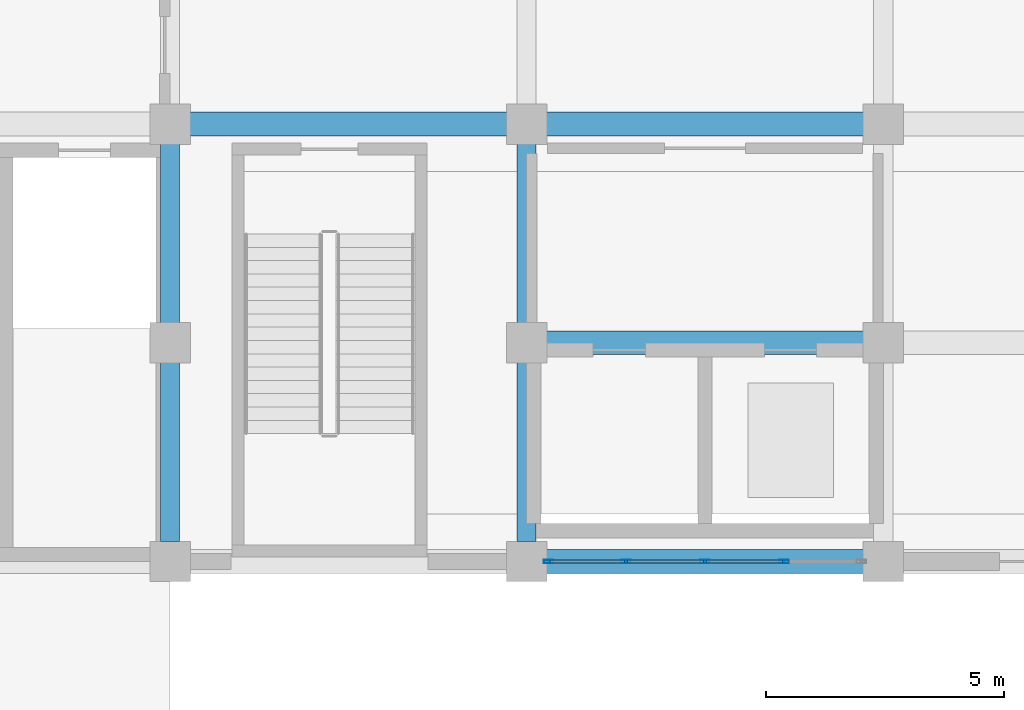
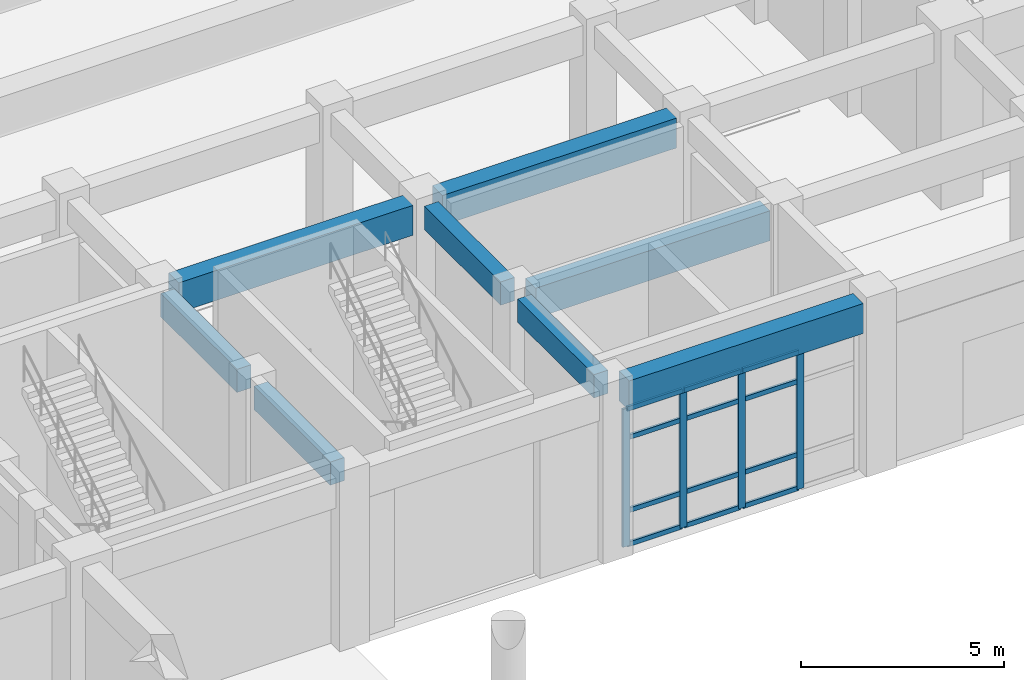
# One storey, part 13 of 84: 16 members, 8 beams, 1 element without a shape of its own.
"""IFC4 building model written with IfcOpenShell, lengths in metres."""

from ifc_helpers import new_model, si_unit, direction, frame, origin, origin_2d, place, context, subcontext, project, spatial, rectangle, hollow_rectangle, extrude, material, layer, layer_set, material_profile, profile_set, type_object, element, aggregate, save


model = new_model("IFC4")

# Units and contexts
model_context = context("Model", 3, precision=1e-05, world=origin(), true_north=direction((0.0, 1.0)))
body_context = subcontext(model_context, "Body", "Model", "MODEL_VIEW")
ifc_project = project(units=[si_unit("LENGTHUNIT", "METRE"), si_unit("AREAUNIT", "SQUARE_METRE"), si_unit("VOLUMEUNIT", "CUBIC_METRE"), si_unit("PLANEANGLEUNIT", "RADIAN"), si_unit("MASSUNIT", "GRAM", prefix="KILO")], contexts=[model_context])

# Site, building, storey
site_placement = place(None, origin())
site = spatial("IfcSite", under=ifc_project, at=site_placement, CompositionType="ELEMENT")
building_placement = place(site_placement, origin())
building = spatial("IfcBuilding", under=site, at=building_placement, Name="Muzn Square Opera House", CompositionType="ELEMENT")
storey_placement = place(building_placement, origin())
storey = spatial("IfcBuildingStorey", under=building, at=storey_placement, Name="L00", CompositionType="ELEMENT", Elevation=0.0)

# Curtain wall, members
ifc_material_1 = material(Name="Low-E laminated acoustic double glazing", Category="glass")
ifc_layer = layer(ifc_material_1, 0.159912109375, Name="Low-E laminated acoustic double glazing", Category="glass")
ifc_layer_set = layer_set([ifc_layer], Name="Low-E laminated acoustic double glazing")
curtain_wall_type = type_object("IfcCurtainWallType", Name="Glazed Curtain Wall Forecourt 6650x4150", PredefinedType="USERDEFINED", material=ifc_layer_set)
curtain_wall_placement = place(storey_placement, origin())
curtain_wall = element("IfcCurtainWall", 1, at=curtain_wall_placement, inside=storey, type_object=curtain_wall_type, Name="Glazed Curtain Wall CW-L00-001", ObjectType="GLAZED CURTAIN WALL", PredefinedType="USERDEFINED")
ifc_material_2 = material(Name="Anodised bronze aluminium 6063-T6", Category="metal")
ifc_material_profile_1 = material_profile(ifc_material_2, hollow_rectangle(XDim=0.070068359375, YDim=0.199951171875, WallThickness=0.0048828125, at=origin_2d()), Name="ALU 200x70x5", Category="metal")
ifc_profile_set_1 = profile_set([ifc_material_profile_1], Name="Anodised bronze aluminium 6063-T6")
member_type_1 = type_object("IfcMemberType", Name="Curtain Wall Mullion 200x70", PredefinedType="MULLION", material=ifc_profile_set_1)
member_1_placement = place(storey_placement, frame((58.4599609375, 22.0, 0.0), z_axis=(0.0, 0.0, 1.0), x_axis=(0.0, 1.0, 0.0)))
member_1 = element("IfcMember", 2, at=member_1_placement, type_object=member_type_1, Name="CW-FC-66x41 mullion 1", PredefinedType="MULLION", context=body_context, shape_type="SweptSolid", body=[
    extrude(hollow_rectangle(XDim=0.070068359375, YDim=0.199951171875, WallThickness=0.0048828125, at=origin_2d()), origin(), (0.0, 0.0, 1.0), 4.14990234375),
])
member_2_placement = place(storey_placement, frame((60.08740234375, 22.0, 0.0), z_axis=(0.0, 0.0, 1.0), x_axis=(0.0, 1.0, 0.0)))
member_2 = element("IfcMember", 3, at=member_2_placement, type_object=member_type_1, Name="CW-FC-66x41 mullion 2", PredefinedType="MULLION", context=body_context, shape_type="SweptSolid", body=[
    extrude(hollow_rectangle(XDim=0.070068359375, YDim=0.199951171875, WallThickness=0.0048828125, at=origin_2d()), origin(), (0.0, 0.0, 1.0), 4.14990234375),
])
member_3_placement = place(storey_placement, frame((61.75, 22.0, 0.0), z_axis=(0.0, 0.0, 1.0), x_axis=(0.0, 1.0, 0.0)))
member_3 = element("IfcMember", 4, at=member_3_placement, type_object=member_type_1, Name="CW-FC-66x41 mullion 3", PredefinedType="MULLION", context=body_context, shape_type="SweptSolid", body=[
    extrude(hollow_rectangle(XDim=0.070068359375, YDim=0.199951171875, WallThickness=0.0048828125, at=origin_2d()), origin(), (0.0, 0.0, 1.0), 4.14990234375),
])
member_4_placement = place(storey_placement, frame((63.41259765625, 22.0, 0.0), z_axis=(0.0, 0.0, 1.0), x_axis=(0.0, 1.0, 0.0)))
member_4 = element("IfcMember", 5, at=member_4_placement, type_object=member_type_1, Name="CW-FC-66x41 mullion 4", PredefinedType="MULLION", context=body_context, shape_type="SweptSolid", body=[
    extrude(hollow_rectangle(XDim=0.070068359375, YDim=0.199951171875, WallThickness=0.0048828125, at=origin_2d()), origin(), (0.0, 0.0, 1.0), 4.14990234375),
])
ifc_material_profile_2 = material_profile(ifc_material_2, hollow_rectangle(XDim=0.070068359375, YDim=0.139892578125, WallThickness=0.00390625, at=origin_2d()), Name="ALU 140x70x4", Category="metal")
ifc_profile_set_2 = profile_set([ifc_material_profile_2], Name="Anodised bronze aluminium 6063-T6")
member_type_2 = type_object("IfcMemberType", Name="Curtain Wall Transom 140x70", PredefinedType="USERDEFINED", material=ifc_profile_set_2)
member_5_placement = place(storey_placement, frame((58.4951171875, 22.0, 0.034912109375), z_axis=(1.0, 0.0, 0.0), x_axis=(0.0, 1.0, 0.0)))
member_5 = element("IfcMember", 6, at=member_5_placement, type_object=member_type_2, Name="CW-FC-66x41 transom 1.1", ObjectType="TRANSOM", PredefinedType="USERDEFINED", context=body_context, shape_type="SweptSolid", body=[
    extrude(hollow_rectangle(XDim=0.070068359375, YDim=0.139892578125, WallThickness=0.00390625, at=origin_2d()), origin(), (0.0, 0.0, 1.0), 1.557373046875),
])
member_6_placement = place(storey_placement, frame((58.4951171875, 22.0, 1.050048828125), z_axis=(1.0, 0.0, 0.0), x_axis=(0.0, 1.0, 0.0)))
member_6 = element("IfcMember", 7, at=member_6_placement, type_object=member_type_2, Name="CW-FC-66x41 transom 1.2", ObjectType="TRANSOM", PredefinedType="USERDEFINED", context=body_context, shape_type="SweptSolid", body=[
    extrude(hollow_rectangle(XDim=0.070068359375, YDim=0.139892578125, WallThickness=0.00390625, at=origin_2d()), origin(), (0.0, 0.0, 1.0), 1.557373046875),
])
member_7_placement = place(storey_placement, frame((58.4951171875, 22.0, 3.25), z_axis=(1.0, 0.0, 0.0), x_axis=(0.0, 1.0, 0.0)))
member_7 = element("IfcMember", 8, at=member_7_placement, type_object=member_type_2, Name="CW-FC-66x41 transom 1.3", ObjectType="TRANSOM", PredefinedType="USERDEFINED", context=body_context, shape_type="SweptSolid", body=[
    extrude(hollow_rectangle(XDim=0.070068359375, YDim=0.139892578125, WallThickness=0.00390625, at=origin_2d()), origin(), (0.0, 0.0, 1.0), 1.557373046875),
])
member_8_placement = place(storey_placement, frame((58.4951171875, 22.0, 4.114990234375), z_axis=(1.0, 0.0, 0.0), x_axis=(0.0, 1.0, 0.0)))
member_8 = element("IfcMember", 9, at=member_8_placement, type_object=member_type_2, Name="CW-FC-66x41 transom 1.4", ObjectType="TRANSOM", PredefinedType="USERDEFINED", context=body_context, shape_type="SweptSolid", body=[
    extrude(hollow_rectangle(XDim=0.070068359375, YDim=0.139892578125, WallThickness=0.00390625, at=origin_2d()), origin(), (0.0, 0.0, 1.0), 1.557373046875),
])
member_9_placement = place(storey_placement, frame((60.12255859375, 22.0, 0.034912109375), z_axis=(1.0, 0.0, 0.0), x_axis=(0.0, 1.0, 0.0)))
member_9 = element("IfcMember", 10, at=member_9_placement, type_object=member_type_2, Name="CW-FC-66x41 transom 2.1", ObjectType="TRANSOM", PredefinedType="USERDEFINED", context=body_context, shape_type="SweptSolid", body=[
    extrude(hollow_rectangle(XDim=0.070068359375, YDim=0.139892578125, WallThickness=0.00390625, at=origin_2d()), origin(), (0.0, 0.0, 1.0), 1.592529296875),
])
member_10_placement = place(storey_placement, frame((60.12255859375, 22.0, 1.050048828125), z_axis=(1.0, 0.0, 0.0), x_axis=(0.0, 1.0, 0.0)))
member_10 = element("IfcMember", 11, at=member_10_placement, type_object=member_type_2, Name="CW-FC-66x41 transom 2.2", ObjectType="TRANSOM", PredefinedType="USERDEFINED", context=body_context, shape_type="SweptSolid", body=[
    extrude(hollow_rectangle(XDim=0.070068359375, YDim=0.139892578125, WallThickness=0.00390625, at=origin_2d()), origin(), (0.0, 0.0, 1.0), 1.592529296875),
])
member_11_placement = place(storey_placement, frame((60.12255859375, 22.0, 3.25), z_axis=(1.0, 0.0, 0.0), x_axis=(0.0, 1.0, 0.0)))
member_11 = element("IfcMember", 12, at=member_11_placement, type_object=member_type_2, Name="CW-FC-66x41 transom 2.3", ObjectType="TRANSOM", PredefinedType="USERDEFINED", context=body_context, shape_type="SweptSolid", body=[
    extrude(hollow_rectangle(XDim=0.070068359375, YDim=0.139892578125, WallThickness=0.00390625, at=origin_2d()), origin(), (0.0, 0.0, 1.0), 1.592529296875),
])
member_12_placement = place(storey_placement, frame((60.12255859375, 22.0, 4.114990234375), z_axis=(1.0, 0.0, 0.0), x_axis=(0.0, 1.0, 0.0)))
member_12 = element("IfcMember", 13, at=member_12_placement, type_object=member_type_2, Name="CW-FC-66x41 transom 2.4", ObjectType="TRANSOM", PredefinedType="USERDEFINED", context=body_context, shape_type="SweptSolid", body=[
    extrude(hollow_rectangle(XDim=0.070068359375, YDim=0.139892578125, WallThickness=0.00390625, at=origin_2d()), origin(), (0.0, 0.0, 1.0), 1.592529296875),
])
member_13_placement = place(storey_placement, frame((61.784912109375, 22.0, 0.034912109375), z_axis=(1.0, 0.0, 0.0), x_axis=(0.0, 1.0, 0.0)))
member_13 = element("IfcMember", 14, at=member_13_placement, type_object=member_type_2, Name="CW-FC-66x41 transom 3.1", ObjectType="TRANSOM", PredefinedType="USERDEFINED", context=body_context, shape_type="SweptSolid", body=[
    extrude(hollow_rectangle(XDim=0.070068359375, YDim=0.139892578125, WallThickness=0.00390625, at=origin_2d()), origin(), (0.0, 0.0, 1.0), 1.592529296875),
])
member_14_placement = place(storey_placement, frame((61.784912109375, 22.0, 1.050048828125), z_axis=(1.0, 0.0, 0.0), x_axis=(0.0, 1.0, 0.0)))
member_14 = element("IfcMember", 15, at=member_14_placement, type_object=member_type_2, Name="CW-FC-66x41 transom 3.2", ObjectType="TRANSOM", PredefinedType="USERDEFINED", context=body_context, shape_type="SweptSolid", body=[
    extrude(hollow_rectangle(XDim=0.070068359375, YDim=0.139892578125, WallThickness=0.00390625, at=origin_2d()), origin(), (0.0, 0.0, 1.0), 1.592529296875),
])
member_15_placement = place(storey_placement, frame((61.784912109375, 22.0, 3.25), z_axis=(1.0, 0.0, 0.0), x_axis=(0.0, 1.0, 0.0)))
member_15 = element("IfcMember", 16, at=member_15_placement, type_object=member_type_2, Name="CW-FC-66x41 transom 3.3", ObjectType="TRANSOM", PredefinedType="USERDEFINED", context=body_context, shape_type="SweptSolid", body=[
    extrude(hollow_rectangle(XDim=0.070068359375, YDim=0.139892578125, WallThickness=0.00390625, at=origin_2d()), origin(), (0.0, 0.0, 1.0), 1.592529296875),
])
member_16_placement = place(storey_placement, frame((61.784912109375, 22.0, 4.114990234375), z_axis=(1.0, 0.0, 0.0), x_axis=(0.0, 1.0, 0.0)))
member_16 = element("IfcMember", 17, at=member_16_placement, type_object=member_type_2, Name="CW-FC-66x41 transom 3.4", ObjectType="TRANSOM", PredefinedType="USERDEFINED", context=body_context, shape_type="SweptSolid", body=[
    extrude(hollow_rectangle(XDim=0.070068359375, YDim=0.139892578125, WallThickness=0.00390625, at=origin_2d()), origin(), (0.0, 0.0, 1.0), 1.592529296875),
])
aggregate(curtain_wall, [member_1, member_2, member_3, member_4, member_5, member_6, member_7, member_8, member_9, member_10, member_11, member_12, member_13, member_14, member_15, member_16])

# Beams
ifc_material_3 = material(Name="Concrete C40/50", Category="concrete")
ifc_material_profile_3 = material_profile(ifc_material_3, rectangle(XDim=0.39990234375, YDim=0.699951171875, at=origin_2d()), Name="RCB 400x700", Category="concrete")
ifc_profile_set_3 = profile_set([ifc_material_profile_3], Name="Concrete C40/50")
beam_type_1 = type_object("IfcBeamType", Name="Primary Girder 400x700", PredefinedType="BEAM", material=ifc_profile_set_3)
beam_1_placement = place(storey_placement, frame((50.5, 22.4169921875, 4.77001953125), z_axis=(0.0, 1.0, 0.0), x_axis=(-1.0, 0.0, 0.0)))
element("IfcBeam", 18, at=beam_1_placement, inside=storey, type_object=beam_type_1, Name="Primary Girder BM-L00-BM-PG700-505_224_505_262-1039", PredefinedType="BEAM", context=body_context, shape_type="SweptSolid", body=[
    extrude(rectangle(XDim=0.39990234375, YDim=0.699951171875, at=origin_2d()), origin(), (0.0, 0.0, 1.0), 3.76611328125),
])
beam_2_placement = place(storey_placement, frame((50.5, 27.01708984375, 4.77001953125), z_axis=(0.0, 1.0, 0.0), x_axis=(-1.0, 0.0, 0.0)))
element("IfcBeam", 19, at=beam_2_placement, inside=storey, type_object=beam_type_1, Name="Primary Girder BM-L00-BM-PG700-505_270_505_308-1040", PredefinedType="BEAM", context=body_context, shape_type="SweptSolid", body=[
    extrude(rectangle(XDim=0.39990234375, YDim=0.699951171875, at=origin_2d()), origin(), (0.0, 0.0, 1.0), 3.765869140625),
])
beam_3_placement = place(storey_placement, frame((58.0, 22.4169921875, 4.77001953125), z_axis=(0.0, 1.0, 0.0), x_axis=(-1.0, 0.0, 0.0)))
element("IfcBeam", 20, at=beam_3_placement, inside=storey, type_object=beam_type_1, Name="Primary Girder BM-L00-BM-PG700-580_224_580_262-1045", PredefinedType="BEAM", context=body_context, shape_type="SweptSolid", body=[
    extrude(rectangle(XDim=0.39990234375, YDim=0.699951171875, at=origin_2d()), origin(), (0.0, 0.0, 1.0), 3.76611328125),
])
beam_4_placement = place(storey_placement, frame((58.0, 27.01708984375, 4.77001953125), z_axis=(0.0, 1.0, 0.0), x_axis=(-1.0, 0.0, 0.0)))
element("IfcBeam", 21, at=beam_4_placement, inside=storey, type_object=beam_type_1, Name="Primary Girder BM-L00-BM-PG700-580_270_580_308-1046", PredefinedType="BEAM", context=body_context, shape_type="SweptSolid", body=[
    extrude(rectangle(XDim=0.39990234375, YDim=0.699951171875, at=origin_2d()), origin(), (0.0, 0.0, 1.0), 3.765869140625),
])
ifc_material_profile_4 = material_profile(ifc_material_3, rectangle(XDim=0.5, YDim=0.89990234375, at=origin_2d()), Name="RCB 500x900", Category="concrete")
ifc_profile_set_4 = profile_set([ifc_material_profile_4], Name="Concrete C40/50")
beam_type_2 = type_object("IfcBeamType", Name="Primary Girder 500x900", PredefinedType="BEAM", material=ifc_profile_set_4)
for number, where, z_axis, x_axis, name in (
    (22, (58.4169921875, 22.0, 4.669921875), (1.0, 0.0, 0.0), (0.0, 1.0, 0.0), "Primary Girder BM-L00-BM-PG900-584_220_651_220-761"),
    (23, (58.4169921875, 26.60009765625, 4.669921875), (1.0, 0.0, 0.0), (0.0, 1.0, 0.0), "Primary Girder BM-L00-BM-PG900-584_266_651_266-779"),
    (24, (50.9169921875, 31.199951171875, 4.669921875), (1.0, 0.0, 0.0), (0.0, 1.0, 0.0), "Primary Girder BM-L00-BM-PG900-509_312_576_312-795"),
    (25, (58.4169921875, 31.199951171875, 4.669921875), (1.0, 0.0, 0.0), (0.0, 1.0, 0.0), "Primary Girder BM-L00-BM-PG900-584_312_651_312-796"),
):
    element("IfcBeam", number, at=place(storey_placement, frame(where, z_axis=z_axis, x_axis=x_axis)), inside=storey, type_object=beam_type_2, Name=name, PredefinedType="BEAM", context=body_context, shape_type="SweptSolid", body=[
        extrude(rectangle(XDim=0.5, YDim=0.89990234375, at=origin_2d()), origin(), (0.0, 0.0, 1.0), 6.666015625),
    ])

save(model, "model.ifc")
